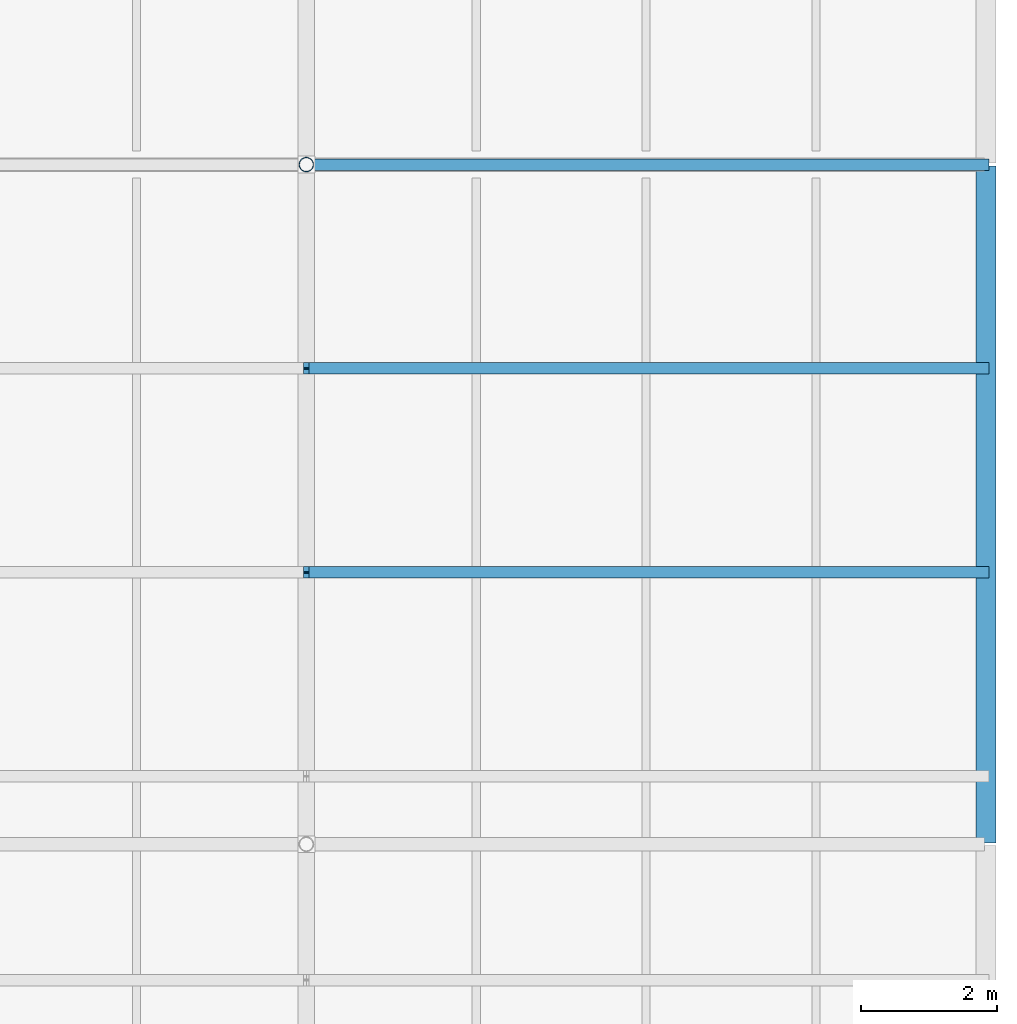
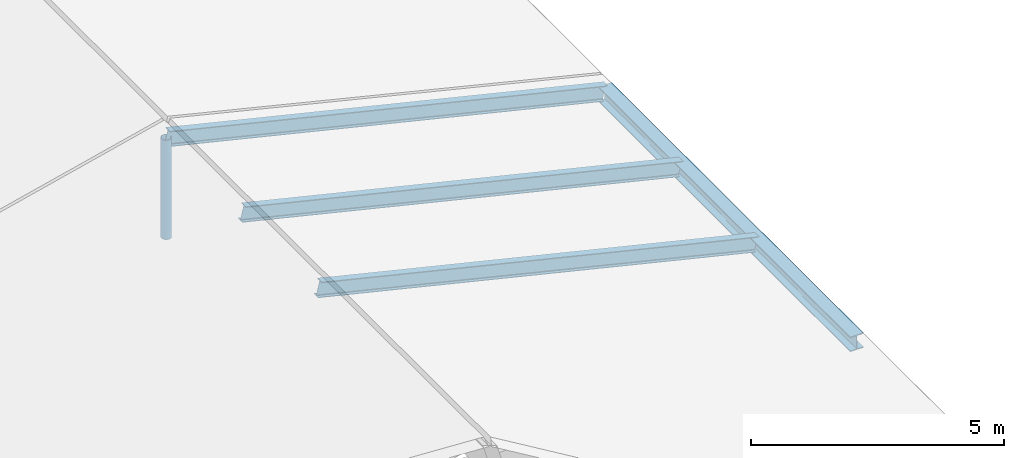
# One storey, part 64 of 90: 4 members, 1 beam.
"""IFC4 building model written with IfcOpenShell, lengths in metres."""

import ifcopenshell
import ifcopenshell.guid

model = None  # the IFC model being written
_history = None  # IfcOwnerHistory: only IFC2X3 demands one
_inside = {}  # id of a spatial element -> (the spatial element, [elements in it])
_under = {}  # id of a project, library or spatial element -> (it, [spatial elements below it])
_declared = {}  # id of a project -> (the project, [libraries it declares])
_typed = {}  # id of a type object -> (the type object, [elements of that type])
_made_of = {}  # id of a material, layer set ... -> (it, [elements and type objects made of it])


def new_model(schema):
    """Start an empty IFC model of exactly this schema.

    Asked for "IFC4X3", IfcOpenShell would pick the latest addendum, in which some entities
    have other attributes; the version numbers below select the first issue.
    IFC2X3 requires an IfcOwnerHistory on every rooted entity: one is made here for all.
    """
    global model, _history
    if schema == "IFC4X3":
        model = ifcopenshell.file(schema_version=(4, 3, 0, 0))
    else:
        model = ifcopenshell.file(schema=schema)
    _inside.clear()
    _under.clear()
    _declared.clear()
    _typed.clear()
    _made_of.clear()
    _history = None
    if model.schema == "IFC2X3":
        org = make("IfcOrganization", Name="unknown")
        user = make(
            "IfcPersonAndOrganization",
            ThePerson=make("IfcPerson", FamilyName="unknown"),
            TheOrganization=org,
        )
        app = make(
            "IfcApplication",
            ApplicationDeveloper=org,
            Version="unknown",
            ApplicationFullName="unknown",
            ApplicationIdentifier="unknown",
        )
        _history = make(
            "IfcOwnerHistory",
            OwningUser=user,
            OwningApplication=app,
            ChangeAction="ADDED",
            CreationDate=0,
        )
    return model


def make(cls, **values):
    """One entity of the class cls with the attributes given. An attribute that is None is left unset."""
    return model.create_entity(
        cls, **{name: value for name, value in values.items() if value is not None}
    )


def rooted(cls, **values):
    """An entity with a GlobalId (a new one), such as an element, a storey or a relation."""
    return make(cls, GlobalId=ifcopenshell.guid.new(), OwnerHistory=_history, **values)


def si_unit(unit_type, name, prefix=None):
    """IfcSIUnit, for example si_unit("LENGTHUNIT", "METRE", prefix="MILLI")."""
    return make("IfcSIUnit", UnitType=unit_type, Prefix=prefix, Name=name)


def assignment(units):
    """IfcUnitAssignment: the units of a project."""
    return None if units is None else make("IfcUnitAssignment", Units=units)


def point(xyz):
    """IfcCartesianPoint."""
    return None if xyz is None else make("IfcCartesianPoint", Coordinates=xyz)


def direction(xyz):
    """IfcDirection."""
    return None if xyz is None else make("IfcDirection", DirectionRatios=xyz)


def frame(location, z_axis=None, x_axis=None):
    """IfcAxis2Placement3D, a coordinate frame: its origin and axes. An axis left out is left unset."""
    return make(
        "IfcAxis2Placement3D",
        Location=point(location),
        Axis=direction(z_axis),
        RefDirection=direction(x_axis),
    )


def frame_2d(location, x_axis=None):
    """IfcAxis2Placement2D, a coordinate frame in the plane: its origin and x axis."""
    return make(
        "IfcAxis2Placement2D", Location=point(location), RefDirection=direction(x_axis)
    )


def origin():
    """The frame at (0, 0, 0) with its axes left unset."""
    return frame((0.0, 0.0, 0.0))


def origin_2d():
    """The frame at (0, 0) in the plane with its x axis left unset."""
    return frame_2d((0.0, 0.0))


def place(relative_to, where):
    """IfcLocalPlacement: puts the frame where relative to a parent placement (None: the world)."""
    return make(
        "IfcLocalPlacement", PlacementRelTo=relative_to, RelativePlacement=where
    )


def context(
    kind, dimensions, precision=None, world=None, true_north=None, identifier=None
):
    """IfcGeometricRepresentationContext, for example the 3D "Model" context."""
    return make(
        "IfcGeometricRepresentationContext",
        ContextIdentifier=identifier,
        ContextType=kind,
        CoordinateSpaceDimension=dimensions,
        Precision=precision,
        WorldCoordinateSystem=world,
        TrueNorth=true_north,
    )


def subcontext(parent, identifier, kind, view, scale=None):
    """IfcGeometricRepresentationSubContext, for example "Body" below "Model"."""
    return make(
        "IfcGeometricRepresentationSubContext",
        ContextIdentifier=identifier,
        ContextType=kind,
        ParentContext=parent,
        TargetScale=scale,
        TargetView=view,
    )


def project(units=None, contexts=None):
    """IfcProject with its units and contexts."""
    return rooted(
        "IfcProject",
        Name="project",
        RepresentationContexts=contexts,
        UnitsInContext=assignment(units),
    )


def spatial(cls, under=None, at=None, **own):
    """A site, building, storey or space (cls), placed at a placement, below another one or the project."""
    s = rooted(cls, ObjectPlacement=at, **own)
    if under is not None:
        _under.setdefault(under.id(), (under, []))[1].append(s)
    return s


def profile(cls, at=None, kind="AREA", **sizes):
    """A parametric profile (cls). Its sizes go by their IFC names, for example OverallWidth=200.0."""
    return make(cls, ProfileType=kind, Position=at, **sizes)


def hollow_circle(**sizes):
    """IfcCircleHollowProfileDef."""
    return profile("IfcCircleHollowProfileDef", **sizes)


def i_section(**sizes):
    """IfcIShapeProfileDef."""
    return profile("IfcIShapeProfileDef", **sizes)


def extrude(swept, where, along, depth):
    """IfcExtrudedAreaSolid: the profile swept, set in the frame where, extruded along a direction by depth."""
    return make(
        "IfcExtrudedAreaSolid",
        SweptArea=swept,
        Position=where,
        ExtrudedDirection=direction(along),
        Depth=depth,
    )


def shape(context_of_items, identifier, shape_type, items):
    """IfcShapeRepresentation: the items that make up one representation, for example the "Body"."""
    return make(
        "IfcShapeRepresentation",
        ContextOfItems=context_of_items,
        RepresentationIdentifier=identifier,
        RepresentationType=shape_type,
        Items=items,
    )


def material(Name=None, Category=None):
    """IfcMaterial."""
    return make("IfcMaterial", Name=Name, Category=Category)


def material_profile(
    of_material, cross_section, Name=None, Category=None, Priority=None
):
    """IfcMaterialProfile: a cross section and its material."""
    return make(
        "IfcMaterialProfile",
        Name=Name,
        Material=of_material,
        Profile=cross_section,
        Priority=Priority,
        Category=Category,
    )


def profile_set(profiles, Name=None, composite=None):
    """IfcMaterialProfileSet."""
    return make(
        "IfcMaterialProfileSet",
        Name=Name,
        MaterialProfiles=profiles,
        CompositeProfile=composite,
    )


def made_of(thing, what):
    """Note that an element or type object is made of a material, layer set ...; save() writes the relation."""
    if what is not None:
        _made_of.setdefault(what.id(), (what, []))[1].append(thing)
    return thing


def type_object(cls, material=None, **own):
    """A type object (cls), such as IfcWallType, which elements share."""
    return made_of(rooted(cls, **own), material)


def element(
    cls,
    number,
    at=None,
    inside=None,
    cuts=None,
    type_object=None,
    material=None,
    context=None,
    identifier="Body",
    shape_type=None,
    held_by="IfcProductDefinitionShape",
    body=None,
    shapes=None,
    **own,
):
    """One element of the class cls, such as IfcWall. Its Tag is "e" and its number.

    at: its placement. inside: the storey or other place that contains it. cuts: it is an
    opening in that element (IfcRelVoidsElement). A single representation is given by context,
    identifier, shape_type and body (its items); several are given by shapes. held_by: the class
    of the entity that holds the representations. save() writes the other relations.
    """
    e = rooted(cls, Tag="e%d" % number, ObjectPlacement=at, **own)
    if body is not None:
        shapes = [shape(context, identifier, shape_type, body)]
    if shapes is not None:
        e.Representation = make(held_by, Representations=shapes)
    if inside is not None:
        _inside.setdefault(inside.id(), (inside, []))[1].append(e)
    if cuts is not None:
        rooted(
            "IfcRelVoidsElement", RelatingBuildingElement=cuts, RelatedOpeningElement=e
        )
    if type_object is not None:
        _typed.setdefault(type_object.id(), (type_object, []))[1].append(e)
    return made_of(e, material)


def aggregate(whole, parts):
    """IfcRelAggregates: a whole, such as a stair, and the parts it consists of."""
    return rooted("IfcRelAggregates", RelatingObject=whole, RelatedObjects=parts)


def save(model, path):
    """Write the relations noted so far, then the file.

    IfcRelAggregates (storeys below a building ...), IfcRelContainedInSpatialStructure (elements
    in a storey), IfcRelDefinesByType, IfcRelAssociatesMaterial and IfcRelDeclares: one each for
    every whole, place, type object, material and project.
    """
    for whole, parts in _under.values():
        aggregate(whole, parts)
    for where, things in _inside.values():
        rooted(
            "IfcRelContainedInSpatialStructure",
            RelatedElements=things,
            RelatingStructure=where,
        )
    for kind, things in _typed.values():
        rooted("IfcRelDefinesByType", RelatedObjects=things, RelatingType=kind)
    for what, things in _made_of.values():
        rooted("IfcRelAssociatesMaterial", RelatedObjects=things, RelatingMaterial=what)
    for by, libraries in _declared.values():
        rooted("IfcRelDeclares", RelatingContext=by, RelatedDefinitions=libraries)
    model.write(path)


model = new_model("IFC4")

# Units and contexts
model_context = context("Model", 3, precision=1e-05, world=origin(), true_north=direction((0.0, 1.0)))
body_context = subcontext(model_context, "Body", "Model", "MODEL_VIEW")
ifc_project = project(units=[si_unit("LENGTHUNIT", "METRE"), si_unit("AREAUNIT", "SQUARE_METRE"), si_unit("VOLUMEUNIT", "CUBIC_METRE"), si_unit("PLANEANGLEUNIT", "RADIAN"), si_unit("MASSUNIT", "GRAM", prefix="KILO"), si_unit("THERMODYNAMICTEMPERATUREUNIT", "KELVIN"), si_unit("POWERUNIT", "WATT")], contexts=[model_context])

# Site, building, storey
site_placement = place(None, origin())
site = spatial("IfcSite", under=ifc_project, at=site_placement, CompositionType="ELEMENT")
building_placement = place(site_placement, origin())
building = spatial("IfcBuilding", under=site, at=building_placement, Name="Korenveer Ferry Terminal", CompositionType="ELEMENT")
storey_placement = place(building_placement, frame((0.0, 0.0, 22.199951171875)))
storey = spatial("IfcBuildingStorey", under=building, at=storey_placement, Name="RF", CompositionType="ELEMENT", Elevation=22.199951171875)

# Beam
ifc_material = material(Name="Steel S355", Category="steel")
ifc_material_profile_1 = material_profile(ifc_material, i_section(OverallWidth=0.300048828125, OverallDepth=0.360107421875, WebThickness=0.012451171875, FlangeThickness=0.0224609375, FilletRadius=0.027099609375, at=origin_2d()), Name="HEB 360")
ifc_profile_set_1 = profile_set([ifc_material_profile_1], Name="Steel S355")
beam_type = type_object("IfcBeamType", Name="STR-BM-HEB360", PredefinedType="BEAM", material=ifc_profile_set_1)
beam_placement = place(storey_placement, frame((176.0, 40.02001953125, -7.619873046875), z_axis=(0.0, 1.0, 0.0), x_axis=(-1.0, 0.0, 0.0)))
element("IfcBeam", 1, at=beam_placement, inside=storey, type_object=beam_type, Name="Wing eave beam EAST 146", PredefinedType="BEAM", context=body_context, shape_type="SweptSolid", body=[
    extrude(i_section(OverallWidth=0.300048828125, OverallDepth=0.360107421875, WebThickness=0.012451171875, FlangeThickness=0.0224609375, FilletRadius=0.027099609375, at=origin_2d()), origin(), (0.0, 0.0, 1.0), 9.9599609375),
])

# Members
ifc_material_profile_2 = material_profile(ifc_material, i_section(OverallWidth=0.169921875, OverallDepth=0.360107421875, WebThickness=0.008056640625, FlangeThickness=0.0126953125, FilletRadius=0.01806640625, at=origin_2d()), Name="IPE 360")
ifc_profile_set_2 = profile_set([ifc_material_profile_2], Name="Steel S355")
member_type_1 = type_object("IfcMemberType", Name="STR-RAF-IPE360", PredefinedType="RAFTER", material=ifc_profile_set_2)
for number, where, z_axis, x_axis, name in (
    (2, (166.0, 44.0, -5.219970703125), (0.972389456854, 0.0, -0.233363973654), (0.0, 1.0, 0.0), "Pitched roof rafter 18"),
    (3, (166.0, 47.0, -5.219970703125), (0.972389456854, 0.0, -0.233363973654), (0.0, 1.0, 0.0), "Pitched roof rafter 20"),
    (4, (166.0, 50.0, -5.219970703125), (0.972389456854, 0.0, -0.233363973654), (0.0, 1.0, 0.0), "Pitched roof rafter 22"),
):
    element("IfcMember", number, at=place(storey_placement, frame(where, z_axis=z_axis, x_axis=x_axis)), inside=storey, type_object=member_type_1, Name=name, PredefinedType="RAFTER", context=body_context, shape_type="SweptSolid", body=[
        extrude(i_section(OverallWidth=0.169921875, OverallDepth=0.360107421875, WebThickness=0.008056640625, FlangeThickness=0.0126953125, FilletRadius=0.01806640625, at=origin_2d()), origin(), (0.0, 0.0, 1.0), 10.283935546875),
    ])
ifc_material_profile_3 = material_profile(ifc_material, hollow_circle(Radius=0.109619140625, WallThickness=0.012451171875, at=origin_2d()), Name="CHS 219.1x12.5")
ifc_profile_set_3 = profile_set([ifc_material_profile_3], Name="Steel S355")
member_type_2 = type_object("IfcMemberType", Name="STR-STT-CHS219", PredefinedType="STRUT", material=ifc_profile_set_3)
member_placement = place(storey_placement, frame((166.0, 50.0, -7.619873046875), z_axis=(0.0, 0.0, 1.0), x_axis=(1.0, 0.0, 0.0)))
element("IfcMember", 5, at=member_placement, inside=storey, type_object=member_type_2, Name="Wing ridge strut STTWR-EAST-Y50", PredefinedType="STRUT", context=body_context, shape_type="SweptSolid", body=[
    extrude(hollow_circle(Radius=0.109619140625, WallThickness=0.012451171875, at=origin_2d()), origin(), (0.0, 0.0, 1.0), 2.39990234375),
])

save(model, "model.ifc")
